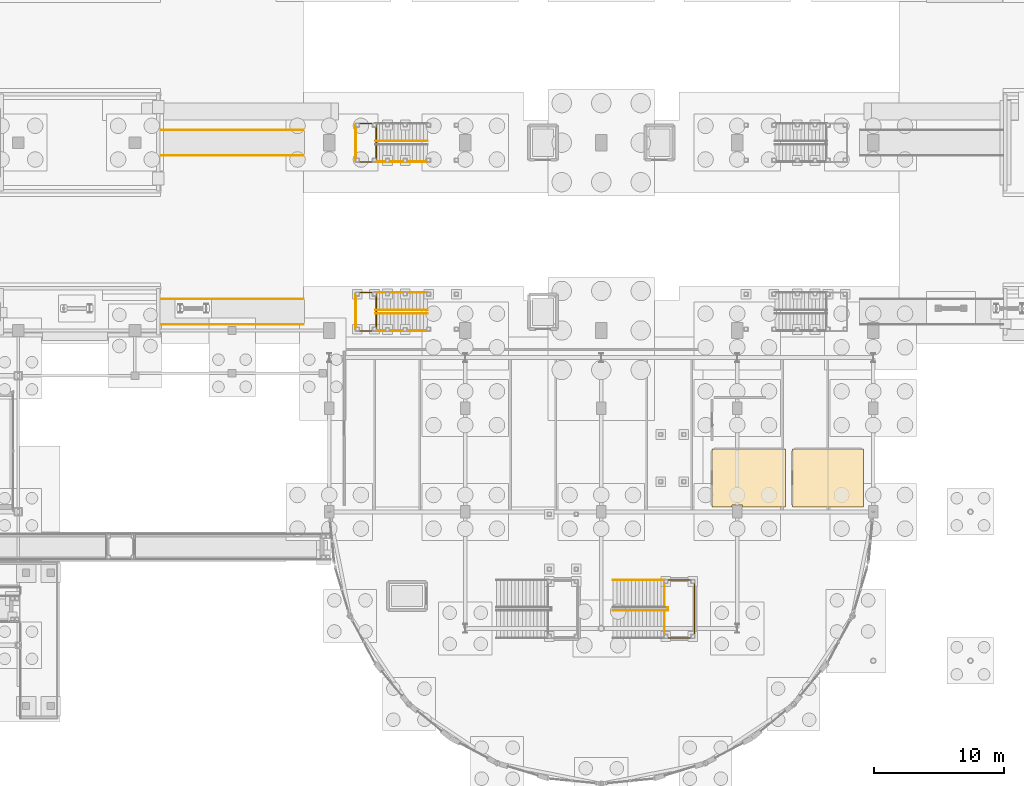
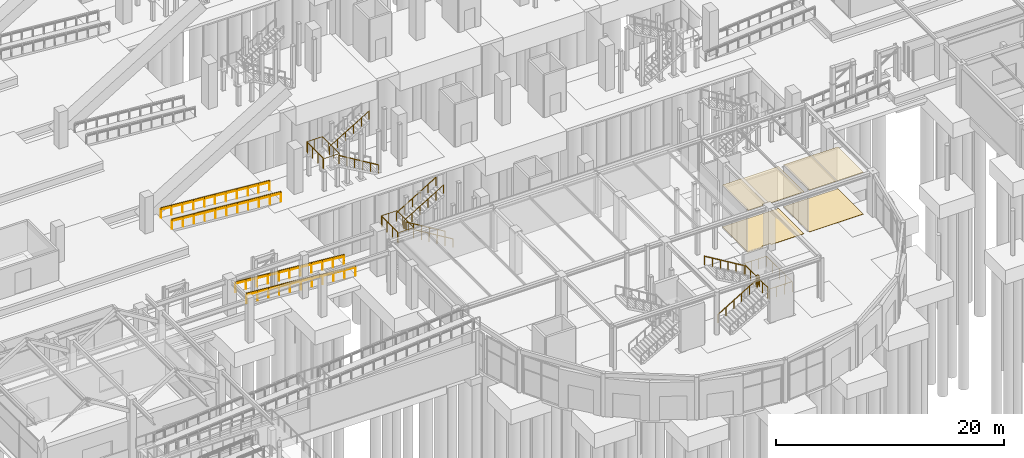
# One storey, part 152 of 160: 22 railings, 4 coverings.
"""IFC4 building model written with IfcOpenShell, lengths in metres."""

from ifc_helpers import new_model, si_unit, direction, frame, origin, origin_2d, place, context, subcontext, project, spatial, polyline, circle, outline, extrude, material, layer, layer_set, type_object, element, save


model = new_model("IFC4")

# Units and contexts
model_context = context("Model", 3, precision=1e-05, world=origin(), true_north=direction((0.0, 1.0)))
body_context = subcontext(model_context, "Body", "Model", "MODEL_VIEW")
ifc_project = project(units=[si_unit("LENGTHUNIT", "METRE"), si_unit("AREAUNIT", "SQUARE_METRE"), si_unit("VOLUMEUNIT", "CUBIC_METRE"), si_unit("PLANEANGLEUNIT", "RADIAN"), si_unit("MASSUNIT", "GRAM", prefix="KILO")], contexts=[model_context])

# Site, building, storey
site_placement = place(None, origin())
site = spatial("IfcSite", under=ifc_project, at=site_placement, CompositionType="ELEMENT")
building_placement = place(site_placement, origin())
building = spatial("IfcBuilding", under=site, at=building_placement, Name="Marlcrest Central Station", CompositionType="ELEMENT")
storey_placement = place(building_placement, origin())
storey = spatial("IfcBuildingStorey", under=building, at=storey_placement, Name="L00", CompositionType="ELEMENT", Elevation=0.0)

# Coverings
ifc_material_1 = material(Name="Perforated acoustic mineral-fibre ceiling")
ifc_layer_1 = layer(ifc_material_1, 0.02490234375, Name="CV-CLG")
ifc_layer_set_1 = layer_set([ifc_layer_1], Name="Perforated acoustic mineral-fibre ceiling")
covering_type_1 = type_object("IfcCoveringType", Name="CV-CLG", PredefinedType="CEILING", material=ifc_layer_set_1)
covering_1_placement = place(storey_placement, frame((0.0, 0.0, 4.47509765625)))
element("IfcCovering", 1, at=covering_1_placement, inside=storey, type_object=covering_type_1, Name="cov-clg-0032", PredefinedType="CEILING", context=body_context, shape_type="SweptSolid", body=[
    extrude(outline(polyline([(116.56005859375, 22.860107421875), (116.56005859375, 27.340087890625), (122.239990234375, 27.340087890625), (122.239990234375, 22.860107421875), (118.909912109375, 22.860107421875), (118.909912109375, 23.034912109375), (118.090087890625, 23.034912109375), (118.090087890625, 22.860107421875), (116.56005859375, 22.860107421875)])), origin(), (0.0, 0.0, 1.0), 0.02490234375),
])
covering_2_placement = place(storey_placement, frame((0.0, 0.0, 4.47509765625)))
element("IfcCovering", 2, at=covering_2_placement, inside=storey, type_object=covering_type_1, Name="cov-clg-0034", PredefinedType="CEILING", context=body_context, shape_type="SweptSolid", body=[
    extrude(outline(polyline([(128.239990234375, 22.860107421875), (128.239990234375, 27.340087890625), (122.760009765625, 27.340087890625), (122.760009765625, 22.860107421875), (128.239990234375, 22.860107421875)])), origin(), (0.0, 0.0, 1.0), 0.02490234375),
])
ifc_material_2 = material(Name="Polished terrazzo and tactile transit flooring")
ifc_layer_2 = layer(ifc_material_2, 0.030029296875, Name="CV-FLR")
ifc_layer_set_2 = layer_set([ifc_layer_2], Name="Polished terrazzo and tactile transit flooring")
covering_type_2 = type_object("IfcCoveringType", Name="CV-FLR", PredefinedType="FLOORING", material=ifc_layer_set_2)
covering_3_placement = place(storey_placement, origin())
element("IfcCovering", 3, at=covering_3_placement, inside=storey, type_object=covering_type_2, Name="cov-flr-0033", PredefinedType="FLOORING", context=body_context, shape_type="SweptSolid", body=[
    extrude(outline(polyline([(116.56005859375, 22.860107421875), (116.56005859375, 27.340087890625), (122.239990234375, 27.340087890625), (122.239990234375, 22.860107421875), (118.909912109375, 22.860107421875), (118.909912109375, 23.034912109375), (118.090087890625, 23.034912109375), (118.090087890625, 22.860107421875), (116.56005859375, 22.860107421875)])), origin(), (0.0, 0.0, 1.0), 0.030029296875),
])
covering_4_placement = place(storey_placement, origin())
element("IfcCovering", 4, at=covering_4_placement, inside=storey, type_object=covering_type_2, Name="cov-flr-0035", PredefinedType="FLOORING", context=body_context, shape_type="SweptSolid", body=[
    extrude(outline(polyline([(128.239990234375, 22.860107421875), (128.239990234375, 27.340087890625), (122.760009765625, 27.340087890625), (122.760009765625, 22.860107421875), (128.239990234375, 22.860107421875)])), origin(), (0.0, 0.0, 1.0), 0.030029296875),
])

# Railings
ifc_material_3 = material(Name="Stainless steel and laminated glass concourse balustrade", Category="steel")
railing_type_1 = type_object("IfcRailingType", Name="GR-02", PredefinedType="BALUSTRADE", material=ifc_material_3)
for number, where, name in (
    (5, (85.0, 36.9599609375, 0.0), "hr-L00-00008"),
    (6, (85.0, 38.93994140625, 0.0), "hr-L00-00010"),
):
    element("IfcRailing", number, at=place(storey_placement, frame(where)), inside=storey, type_object=railing_type_1, Name=name, PredefinedType="BALUSTRADE", context=body_context, shape_type="SweptSolid", body=[
        extrude(circle(Radius=0.02392578125, at=origin_2d()), frame((0.0, 0.0, 1.09619140625), z_axis=(-0.996557950635, 0.0, 0.082899041171), x_axis=(0.0, -1.0, 0.0)), (0.0, 0.0, 1.0), 11.0380859375),
        extrude(circle(Radius=0.02099609375, at=origin_2d()), origin(), (0.0, 0.0, 1.0), 1.072021484375),
        extrude(circle(Radius=0.02099609375, at=origin_2d()), frame((-1.10009765625, 0.0, 0.091552734375)), (0.0, 0.0, 1.0), 1.072021484375),
        extrude(circle(Radius=0.02099609375, at=origin_2d()), frame((-2.199951171875, 0.0, 0.18310546875)), (0.0, 0.0, 1.0), 1.072021484375),
        extrude(circle(Radius=0.02099609375, at=origin_2d()), frame((-3.300048828125, 0.0, 0.2744140625)), (0.0, 0.0, 1.0), 1.072021484375),
        extrude(circle(Radius=0.02099609375, at=origin_2d()), frame((-4.39990234375, 0.0, 0.365966796875)), (0.0, 0.0, 1.0), 1.072021484375),
        extrude(circle(Radius=0.02099609375, at=origin_2d()), frame((-5.5, 0.0, 0.45751953125)), (0.0, 0.0, 1.0), 1.072021484375),
        extrude(circle(Radius=0.02099609375, at=origin_2d()), frame((-6.60009765625, 0.0, 0.549072265625)), (0.0, 0.0, 1.0), 1.072021484375),
        extrude(circle(Radius=0.02099609375, at=origin_2d()), frame((-7.699951171875, 0.0, 0.640625)), (0.0, 0.0, 1.0), 1.072021484375),
        extrude(circle(Radius=0.02099609375, at=origin_2d()), frame((-8.800048828125, 0.0, 0.73193359375)), (0.0, 0.0, 1.0), 1.072021484375),
        extrude(circle(Radius=0.02099609375, at=origin_2d()), frame((-9.89990234375, 0.0, 0.823486328125)), (0.0, 0.0, 1.0), 1.072021484375),
        extrude(circle(Radius=0.02099609375, at=origin_2d()), frame((-11.0, 0.0, 0.9150390625)), (0.0, 0.0, 1.0), 1.072021484375),
    ])
railing_1_placement = place(storey_placement, frame((89.030029296875, 36.4599609375, 2.39990234375)))
element("IfcRailing", 7, at=railing_1_placement, inside=storey, type_object=railing_type_1, Name="hr-L00-00011", PredefinedType="BALUSTRADE", context=body_context, shape_type="SweptSolid", body=[
    extrude(circle(Radius=0.02392578125, at=origin_2d()), frame((0.0, 0.0, 1.09619140625), z_axis=(1.0, 0.0, 0.0), x_axis=(0.0, 1.0, 0.0)), (0.0, 0.0, 1.0), 1.599853515625),
    extrude(circle(Radius=0.02392578125, at=origin_2d()), frame((1.599853515625, 0.0, 1.09619140625), z_axis=(0.0, 1.0, 0.0), x_axis=(-1.0, 0.0, 0.0)), (0.0, 0.0, 1.0), 2.97998046875),
    extrude(circle(Radius=0.02392578125, at=origin_2d()), frame((1.599853515625, 2.97998046875, 1.09619140625), z_axis=(-1.0, 0.0, 0.0), x_axis=(0.0, -1.0, 0.0)), (0.0, 0.0, 1.0), 1.599853515625),
    extrude(circle(Radius=0.02099609375, at=origin_2d()), origin(), (0.0, 0.0, 1.0), 1.072021484375),
    extrude(circle(Radius=0.02099609375, at=origin_2d()), frame((0.7998046875, 0.0, 0.0)), (0.0, 0.0, 1.0), 1.072021484375),
    extrude(circle(Radius=0.02099609375, at=origin_2d()), frame((1.599853515625, 0.0, 0.0)), (0.0, 0.0, 1.0), 1.072021484375),
    extrude(circle(Radius=0.02099609375, at=origin_2d()), frame((1.599853515625, 0.993408203125, 0.0)), (0.0, 0.0, 1.0), 1.072021484375),
    extrude(circle(Radius=0.02099609375, at=origin_2d()), frame((1.599853515625, 1.986572265625, 0.0)), (0.0, 0.0, 1.0), 1.072021484375),
    extrude(circle(Radius=0.02099609375, at=origin_2d()), frame((1.599853515625, 2.97998046875, 0.0)), (0.0, 0.0, 1.0), 1.072021484375),
    extrude(circle(Radius=0.02099609375, at=origin_2d()), frame((0.7998046875, 2.97998046875, 0.0)), (0.0, 0.0, 1.0), 1.072021484375),
    extrude(circle(Radius=0.02099609375, at=origin_2d()), frame((0.0, 2.97998046875, 0.0)), (0.0, 0.0, 1.0), 1.072021484375),
])
for number, where, name in (
    (8, (85.0, 50.010009765625, 0.0), "hr-L00-00042"),
    (9, (85.0, 51.989990234375, 0.0), "hr-L00-00044"),
):
    element("IfcRailing", number, at=place(storey_placement, frame(where)), inside=storey, type_object=railing_type_1, Name=name, PredefinedType="BALUSTRADE", context=body_context, shape_type="SweptSolid", body=[
        extrude(circle(Radius=0.02392578125, at=origin_2d()), frame((0.0, 0.0, 1.09619140625), z_axis=(-0.996557950635, 0.0, 0.082899041171), x_axis=(0.0, -1.0, 0.0)), (0.0, 0.0, 1.0), 11.0380859375),
        extrude(circle(Radius=0.02099609375, at=origin_2d()), origin(), (0.0, 0.0, 1.0), 1.072021484375),
        extrude(circle(Radius=0.02099609375, at=origin_2d()), frame((-1.10009765625, 0.0, 0.091552734375)), (0.0, 0.0, 1.0), 1.072021484375),
        extrude(circle(Radius=0.02099609375, at=origin_2d()), frame((-2.199951171875, 0.0, 0.18310546875)), (0.0, 0.0, 1.0), 1.072021484375),
        extrude(circle(Radius=0.02099609375, at=origin_2d()), frame((-3.300048828125, 0.0, 0.2744140625)), (0.0, 0.0, 1.0), 1.072021484375),
        extrude(circle(Radius=0.02099609375, at=origin_2d()), frame((-4.39990234375, 0.0, 0.365966796875)), (0.0, 0.0, 1.0), 1.072021484375),
        extrude(circle(Radius=0.02099609375, at=origin_2d()), frame((-5.5, 0.0, 0.45751953125)), (0.0, 0.0, 1.0), 1.072021484375),
        extrude(circle(Radius=0.02099609375, at=origin_2d()), frame((-6.60009765625, 0.0, 0.549072265625)), (0.0, 0.0, 1.0), 1.072021484375),
        extrude(circle(Radius=0.02099609375, at=origin_2d()), frame((-7.699951171875, 0.0, 0.640625)), (0.0, 0.0, 1.0), 1.072021484375),
        extrude(circle(Radius=0.02099609375, at=origin_2d()), frame((-8.800048828125, 0.0, 0.73193359375)), (0.0, 0.0, 1.0), 1.072021484375),
        extrude(circle(Radius=0.02099609375, at=origin_2d()), frame((-9.89990234375, 0.0, 0.823486328125)), (0.0, 0.0, 1.0), 1.072021484375),
        extrude(circle(Radius=0.02099609375, at=origin_2d()), frame((-11.0, 0.0, 0.9150390625)), (0.0, 0.0, 1.0), 1.072021484375),
    ])
railing_2_placement = place(storey_placement, frame((89.030029296875, 49.510009765625, 2.39990234375)))
element("IfcRailing", 10, at=railing_2_placement, inside=storey, type_object=railing_type_1, Name="hr-L00-00045", PredefinedType="BALUSTRADE", context=body_context, shape_type="SweptSolid", body=[
    extrude(circle(Radius=0.02392578125, at=origin_2d()), frame((0.0, 0.0, 1.09619140625), z_axis=(1.0, 0.0, 0.0), x_axis=(0.0, 1.0, 0.0)), (0.0, 0.0, 1.0), 1.599853515625),
    extrude(circle(Radius=0.02392578125, at=origin_2d()), frame((1.599853515625, 0.0, 1.09619140625), z_axis=(0.0, 1.0, 0.0), x_axis=(-1.0, 0.0, 0.0)), (0.0, 0.0, 1.0), 2.97998046875),
    extrude(circle(Radius=0.02392578125, at=origin_2d()), frame((1.599853515625, 2.97998046875, 1.09619140625), z_axis=(-1.0, 0.0, 0.0), x_axis=(0.0, -1.0, 0.0)), (0.0, 0.0, 1.0), 1.599853515625),
    extrude(circle(Radius=0.02099609375, at=origin_2d()), origin(), (0.0, 0.0, 1.0), 1.072021484375),
    extrude(circle(Radius=0.02099609375, at=origin_2d()), frame((0.7998046875, 0.0, 0.0)), (0.0, 0.0, 1.0), 1.072021484375),
    extrude(circle(Radius=0.02099609375, at=origin_2d()), frame((1.599853515625, 0.0, 0.0)), (0.0, 0.0, 1.0), 1.072021484375),
    extrude(circle(Radius=0.02099609375, at=origin_2d()), frame((1.599853515625, 0.993408203125, 0.0)), (0.0, 0.0, 1.0), 1.072021484375),
    extrude(circle(Radius=0.02099609375, at=origin_2d()), frame((1.599853515625, 1.986572265625, 0.0)), (0.0, 0.0, 1.0), 1.072021484375),
    extrude(circle(Radius=0.02099609375, at=origin_2d()), frame((1.599853515625, 2.97998046875, 0.0)), (0.0, 0.0, 1.0), 1.072021484375),
    extrude(circle(Radius=0.02099609375, at=origin_2d()), frame((0.7998046875, 2.97998046875, 0.0)), (0.0, 0.0, 1.0), 1.072021484375),
    extrude(circle(Radius=0.02099609375, at=origin_2d()), frame((0.0, 2.97998046875, 0.0)), (0.0, 0.0, 1.0), 1.072021484375),
])
railing_3_placement = place(storey_placement, frame((112.8701171875, 12.760009765625, 2.39990234375)))
element("IfcRailing", 11, at=railing_3_placement, inside=storey, type_object=railing_type_1, Name="hr-L00-00180", PredefinedType="BALUSTRADE", context=body_context, shape_type="SweptSolid", body=[
    extrude(circle(Radius=0.02392578125, at=origin_2d()), frame((0.0, 0.0, 1.09619140625), z_axis=(1.0, 0.0, 0.0), x_axis=(0.0, 1.0, 0.0)), (0.0, 0.0, 1.0), 2.31982421875),
    extrude(circle(Radius=0.02392578125, at=origin_2d()), frame((2.31982421875, 0.0, 1.09619140625), z_axis=(0.0, 1.0, 0.0), x_axis=(-1.0, 0.0, 0.0)), (0.0, 0.0, 1.0), 4.47998046875),
    extrude(circle(Radius=0.02392578125, at=origin_2d()), frame((2.31982421875, 4.47998046875, 1.09619140625), z_axis=(-1.0, 0.0, 0.0), x_axis=(0.0, -1.0, 0.0)), (0.0, 0.0, 1.0), 2.31982421875),
    extrude(circle(Radius=0.02099609375, at=origin_2d()), origin(), (0.0, 0.0, 1.0), 1.072021484375),
    extrude(circle(Radius=0.02099609375, at=origin_2d()), frame((0.773193359375, 0.0, 0.0)), (0.0, 0.0, 1.0), 1.072021484375),
    extrude(circle(Radius=0.02099609375, at=origin_2d()), frame((1.546630859375, 0.0, 0.0)), (0.0, 0.0, 1.0), 1.072021484375),
    extrude(circle(Radius=0.02099609375, at=origin_2d()), frame((2.31982421875, 0.0, 0.0)), (0.0, 0.0, 1.0), 1.072021484375),
    extrude(circle(Radius=0.02099609375, at=origin_2d()), frame((2.31982421875, 1.1201171875, 0.0)), (0.0, 0.0, 1.0), 1.072021484375),
    extrude(circle(Radius=0.02099609375, at=origin_2d()), frame((2.31982421875, 2.239990234375, 0.0)), (0.0, 0.0, 1.0), 1.072021484375),
    extrude(circle(Radius=0.02099609375, at=origin_2d()), frame((2.31982421875, 3.35986328125, 0.0)), (0.0, 0.0, 1.0), 1.072021484375),
    extrude(circle(Radius=0.02099609375, at=origin_2d()), frame((2.31982421875, 4.47998046875, 0.0)), (0.0, 0.0, 1.0), 1.072021484375),
    extrude(circle(Radius=0.02099609375, at=origin_2d()), frame((1.546630859375, 4.47998046875, 0.0)), (0.0, 0.0, 1.0), 1.072021484375),
    extrude(circle(Radius=0.02099609375, at=origin_2d()), frame((0.773193359375, 4.47998046875, 0.0)), (0.0, 0.0, 1.0), 1.072021484375),
    extrude(circle(Radius=0.02099609375, at=origin_2d()), frame((0.0, 4.47998046875, 0.0)), (0.0, 0.0, 1.0), 1.072021484375),
])
railing_4_placement = place(storey_placement, frame((89.050048828125, 36.60009765625, 2.39990234375)))
element("IfcRailing", 12, at=railing_4_placement, inside=storey, type_object=railing_type_1, Name="hr-L00-00569", PredefinedType="BALUSTRADE", context=body_context, shape_type="SweptSolid", body=[
    extrude(circle(Radius=0.02392578125, at=origin_2d()), frame((0.0, 0.0, 1.09619140625), z_axis=(0.0, 1.0, 0.0), x_axis=(-1.0, 0.0, 0.0)), (0.0, 0.0, 1.0), 2.699951171875),
    extrude(circle(Radius=0.02099609375, at=origin_2d()), origin(), (0.0, 0.0, 1.0), 1.072021484375),
    extrude(circle(Radius=0.02099609375, at=origin_2d()), frame((0.0, 0.89990234375, 0.0)), (0.0, 0.0, 1.0), 1.072021484375),
    extrude(circle(Radius=0.02099609375, at=origin_2d()), frame((0.0, 1.800048828125, 0.0)), (0.0, 0.0, 1.0), 1.072021484375),
    extrude(circle(Radius=0.02099609375, at=origin_2d()), frame((0.0, 2.699951171875, 0.0)), (0.0, 0.0, 1.0), 1.072021484375),
])
railing_5_placement = place(storey_placement, frame((89.050048828125, 49.64990234375, 2.39990234375)))
element("IfcRailing", 13, at=railing_5_placement, inside=storey, type_object=railing_type_1, Name="hr-L00-00573", PredefinedType="BALUSTRADE", context=body_context, shape_type="SweptSolid", body=[
    extrude(circle(Radius=0.02392578125, at=origin_2d()), frame((0.0, 0.0, 1.09619140625), z_axis=(0.0, 1.0, 0.0), x_axis=(-1.0, 0.0, 0.0)), (0.0, 0.0, 1.0), 2.7001953125),
    extrude(circle(Radius=0.02099609375, at=origin_2d()), origin(), (0.0, 0.0, 1.0), 1.072021484375),
    extrude(circle(Radius=0.02099609375, at=origin_2d()), frame((0.0, 0.900146484375, 0.0)), (0.0, 0.0, 1.0), 1.072021484375),
    extrude(circle(Radius=0.02099609375, at=origin_2d()), frame((0.0, 1.800048828125, 0.0)), (0.0, 0.0, 1.0), 1.072021484375),
    extrude(circle(Radius=0.02099609375, at=origin_2d()), frame((0.0, 2.7001953125, 0.0)), (0.0, 0.0, 1.0), 1.072021484375),
])
railing_6_placement = place(storey_placement, frame((112.889892578125, 13.010009765625, 2.39990234375)))
element("IfcRailing", 14, at=railing_6_placement, inside=storey, type_object=railing_type_1, Name="hr-L00-00590", PredefinedType="BALUSTRADE", context=body_context, shape_type="SweptSolid", body=[
    extrude(circle(Radius=0.02392578125, at=origin_2d()), frame((0.0, 0.0, 1.09619140625), z_axis=(0.0, 1.0, 0.0), x_axis=(-1.0, 0.0, 0.0)), (0.0, 0.0, 1.0), 1.869873046875),
    extrude(circle(Radius=0.02392578125, at=origin_2d()), frame((0.0, 1.869873046875, 1.09619140625), z_axis=(1.0, 0.0, 0.0), x_axis=(0.0, 1.0, 0.0)), (0.0, 0.0, 1.0), 0.25),
    extrude(circle(Radius=0.02392578125, at=origin_2d()), frame((0.25, 1.869873046875, 1.09619140625), z_axis=(0.0, 1.0, 0.0), x_axis=(-1.0, 0.0, 0.0)), (0.0, 0.0, 1.0), 0.240234375),
    extrude(circle(Radius=0.02392578125, at=origin_2d()), frame((0.25, 2.110107421875, 1.09619140625), z_axis=(-1.0, 0.0, 0.0), x_axis=(0.0, -1.0, 0.0)), (0.0, 0.0, 1.0), 0.25),
    extrude(circle(Radius=0.02392578125, at=origin_2d()), frame((0.0, 2.110107421875, 1.09619140625), z_axis=(0.0, 1.0, 0.0), x_axis=(-1.0, 0.0, 0.0)), (0.0, 0.0, 1.0), 1.869873046875),
    extrude(circle(Radius=0.02099609375, at=origin_2d()), origin(), (0.0, 0.0, 1.0), 1.072021484375),
    extrude(circle(Radius=0.02099609375, at=origin_2d()), frame((0.0, 0.93505859375, 0.0)), (0.0, 0.0, 1.0), 1.072021484375),
    extrude(circle(Radius=0.02099609375, at=origin_2d()), frame((0.0, 1.869873046875, 0.0)), (0.0, 0.0, 1.0), 1.072021484375),
    extrude(circle(Radius=0.02099609375, at=origin_2d()), frame((0.25, 1.869873046875, 0.0)), (0.0, 0.0, 1.0), 1.072021484375),
    extrude(circle(Radius=0.02099609375, at=origin_2d()), frame((0.25, 2.110107421875, 0.0)), (0.0, 0.0, 1.0), 1.072021484375),
    extrude(circle(Radius=0.02099609375, at=origin_2d()), frame((0.0, 2.110107421875, 0.0)), (0.0, 0.0, 1.0), 1.072021484375),
    extrude(circle(Radius=0.02099609375, at=origin_2d()), frame((0.0, 3.044921875, 0.0)), (0.0, 0.0, 1.0), 1.072021484375),
    extrude(circle(Radius=0.02099609375, at=origin_2d()), frame((0.0, 3.97998046875, 0.0)), (0.0, 0.0, 1.0), 1.072021484375),
])
ifc_material_4 = material(Name="Brushed stainless steel handrail", Category="steel")
railing_type_2 = type_object("IfcRailingType", Name="HR-01", PredefinedType="HANDRAIL", material=ifc_material_4)
railing_7_placement = place(storey_placement, frame((94.580078125, 36.47509765625, 0.0)))
element("IfcRailing", 15, at=railing_7_placement, inside=storey, type_object=railing_type_2, Name="hr-L00-00003", PredefinedType="HANDRAIL", context=body_context, shape_type="SweptSolid", body=[
    extrude(circle(Radius=0.02392578125, at=origin_2d()), frame((0.0, 0.0, 0.89599609375), z_axis=(-0.856932605607, 0.0, 0.515428471708), x_axis=(0.0, -1.0, 0.0)), (0.0, 0.0, 1.0), 4.65625),
    extrude(circle(Radius=0.02099609375, at=origin_2d()), origin(), (0.0, 0.0, 1.0), 0.871826171875),
    extrude(circle(Radius=0.02099609375, at=origin_2d()), frame((-0.798095703125, 0.0, 0.47998046875)), (0.0, 0.0, 1.0), 0.871826171875),
    extrude(circle(Radius=0.02099609375, at=origin_2d()), frame((-1.595947265625, 0.0, 0.9599609375)), (0.0, 0.0, 1.0), 0.871826171875),
    extrude(circle(Radius=0.02099609375, at=origin_2d()), frame((-2.39404296875, 0.0, 1.43994140625)), (0.0, 0.0, 1.0), 0.871826171875),
    extrude(circle(Radius=0.02099609375, at=origin_2d()), frame((-3.19189453125, 0.0, 1.919921875)), (0.0, 0.0, 1.0), 0.871826171875),
    extrude(circle(Radius=0.02099609375, at=origin_2d()), frame((-3.989990234375, 0.0, 2.39990234375)), (0.0, 0.0, 1.0), 0.871826171875),
])
railing_8_placement = place(storey_placement, frame((90.590087890625, 38.0849609375, 2.39990234375)))
element("IfcRailing", 16, at=railing_8_placement, inside=storey, type_object=railing_type_2, Name="hr-L00-00004", PredefinedType="HANDRAIL", context=body_context, shape_type="SweptSolid", body=[
    extrude(circle(Radius=0.02392578125, at=origin_2d()), frame((0.0, 0.0, 0.89599609375), z_axis=(0.856909445827, 0.0, 0.515466974357), x_axis=(0.0, 1.0, 0.0)), (0.0, 0.0, 1.0), 4.65625),
    extrude(circle(Radius=0.02099609375, at=origin_2d()), origin(), (0.0, 0.0, 1.0), 0.871826171875),
    extrude(circle(Radius=0.02099609375, at=origin_2d()), frame((0.798095703125, 0.0, 0.47998046875)), (0.0, 0.0, 1.0), 0.871826171875),
    extrude(circle(Radius=0.02099609375, at=origin_2d()), frame((1.595947265625, 0.0, 0.9599609375)), (0.0, 0.0, 1.0), 0.871826171875),
    extrude(circle(Radius=0.02099609375, at=origin_2d()), frame((2.39404296875, 0.0, 1.440185546875)), (0.0, 0.0, 1.0), 0.871826171875),
    extrude(circle(Radius=0.02099609375, at=origin_2d()), frame((3.19189453125, 0.0, 1.920166015625)), (0.0, 0.0, 1.0), 0.871826171875),
    extrude(circle(Radius=0.02099609375, at=origin_2d()), frame((3.989990234375, 0.0, 2.400146484375)), (0.0, 0.0, 1.0), 0.871826171875),
])
railing_9_placement = place(storey_placement, frame((94.580078125, 37.81494140625, 0.0)))
element("IfcRailing", 17, at=railing_9_placement, inside=storey, type_object=railing_type_2, Name="hr-L00-00005", PredefinedType="HANDRAIL", context=body_context, shape_type="SweptSolid", body=[
    extrude(circle(Radius=0.02392578125, at=origin_2d()), frame((0.0, 0.0, 0.89599609375), z_axis=(-0.856932605607, 0.0, 0.515428471708), x_axis=(0.0, -1.0, 0.0)), (0.0, 0.0, 1.0), 4.65625),
    extrude(circle(Radius=0.02099609375, at=origin_2d()), origin(), (0.0, 0.0, 1.0), 0.871826171875),
    extrude(circle(Radius=0.02099609375, at=origin_2d()), frame((-0.798095703125, 0.0, 0.47998046875)), (0.0, 0.0, 1.0), 0.871826171875),
    extrude(circle(Radius=0.02099609375, at=origin_2d()), frame((-1.595947265625, 0.0, 0.9599609375)), (0.0, 0.0, 1.0), 0.871826171875),
    extrude(circle(Radius=0.02099609375, at=origin_2d()), frame((-2.39404296875, 0.0, 1.43994140625)), (0.0, 0.0, 1.0), 0.871826171875),
    extrude(circle(Radius=0.02099609375, at=origin_2d()), frame((-3.19189453125, 0.0, 1.919921875)), (0.0, 0.0, 1.0), 0.871826171875),
    extrude(circle(Radius=0.02099609375, at=origin_2d()), frame((-3.989990234375, 0.0, 2.39990234375)), (0.0, 0.0, 1.0), 0.871826171875),
])
railing_10_placement = place(storey_placement, frame((90.590087890625, 39.425048828125, 2.39990234375)))
element("IfcRailing", 18, at=railing_10_placement, inside=storey, type_object=railing_type_2, Name="hr-L00-00006", PredefinedType="HANDRAIL", context=body_context, shape_type="SweptSolid", body=[
    extrude(circle(Radius=0.02392578125, at=origin_2d()), frame((0.0, 0.0, 0.89599609375), z_axis=(0.856909445827, 0.0, 0.515466974357), x_axis=(0.0, 1.0, 0.0)), (0.0, 0.0, 1.0), 4.65625),
    extrude(circle(Radius=0.02099609375, at=origin_2d()), origin(), (0.0, 0.0, 1.0), 0.871826171875),
    extrude(circle(Radius=0.02099609375, at=origin_2d()), frame((0.798095703125, 0.0, 0.47998046875)), (0.0, 0.0, 1.0), 0.871826171875),
    extrude(circle(Radius=0.02099609375, at=origin_2d()), frame((1.595947265625, 0.0, 0.9599609375)), (0.0, 0.0, 1.0), 0.871826171875),
    extrude(circle(Radius=0.02099609375, at=origin_2d()), frame((2.39404296875, 0.0, 1.440185546875)), (0.0, 0.0, 1.0), 0.871826171875),
    extrude(circle(Radius=0.02099609375, at=origin_2d()), frame((3.19189453125, 0.0, 1.920166015625)), (0.0, 0.0, 1.0), 0.871826171875),
    extrude(circle(Radius=0.02099609375, at=origin_2d()), frame((3.989990234375, 0.0, 2.400146484375)), (0.0, 0.0, 1.0), 0.871826171875),
])
for number, where, name in (
    (19, (85.0, 36.9599609375, 0.0), "hr-L00-00007"),
    (20, (85.0, 38.93994140625, 0.0), "hr-L00-00009"),
):
    element("IfcRailing", number, at=place(storey_placement, frame(where)), inside=storey, type_object=railing_type_2, Name=name, PredefinedType="HANDRAIL", context=body_context, shape_type="SweptSolid", body=[
        extrude(circle(Radius=0.02392578125, at=origin_2d()), frame((0.0, 0.0, 0.89599609375), z_axis=(-0.996557950635, 0.0, 0.082899041171), x_axis=(0.0, -1.0, 0.0)), (0.0, 0.0, 1.0), 11.0380859375),
        extrude(circle(Radius=0.02099609375, at=origin_2d()), origin(), (0.0, 0.0, 1.0), 0.871826171875),
        extrude(circle(Radius=0.02099609375, at=origin_2d()), frame((-1.10009765625, 0.0, 0.091552734375)), (0.0, 0.0, 1.0), 0.871826171875),
        extrude(circle(Radius=0.02099609375, at=origin_2d()), frame((-2.199951171875, 0.0, 0.18310546875)), (0.0, 0.0, 1.0), 0.871826171875),
        extrude(circle(Radius=0.02099609375, at=origin_2d()), frame((-3.300048828125, 0.0, 0.2744140625)), (0.0, 0.0, 1.0), 0.871826171875),
        extrude(circle(Radius=0.02099609375, at=origin_2d()), frame((-4.39990234375, 0.0, 0.365966796875)), (0.0, 0.0, 1.0), 0.871826171875),
        extrude(circle(Radius=0.02099609375, at=origin_2d()), frame((-5.5, 0.0, 0.45751953125)), (0.0, 0.0, 1.0), 0.871826171875),
        extrude(circle(Radius=0.02099609375, at=origin_2d()), frame((-6.60009765625, 0.0, 0.549072265625)), (0.0, 0.0, 1.0), 0.871826171875),
        extrude(circle(Radius=0.02099609375, at=origin_2d()), frame((-7.699951171875, 0.0, 0.640625)), (0.0, 0.0, 1.0), 0.871826171875),
        extrude(circle(Radius=0.02099609375, at=origin_2d()), frame((-8.800048828125, 0.0, 0.73193359375)), (0.0, 0.0, 1.0), 0.871826171875),
        extrude(circle(Radius=0.02099609375, at=origin_2d()), frame((-9.89990234375, 0.0, 0.823486328125)), (0.0, 0.0, 1.0), 0.871826171875),
        extrude(circle(Radius=0.02099609375, at=origin_2d()), frame((-11.0, 0.0, 0.9150390625)), (0.0, 0.0, 1.0), 0.871826171875),
    ])
railing_11_placement = place(storey_placement, frame((94.580078125, 49.52490234375, 0.0)))
element("IfcRailing", 21, at=railing_11_placement, inside=storey, type_object=railing_type_2, Name="hr-L00-00037", PredefinedType="HANDRAIL", context=body_context, shape_type="SweptSolid", body=[
    extrude(circle(Radius=0.02392578125, at=origin_2d()), frame((0.0, 0.0, 0.89599609375), z_axis=(-0.856932605607, 0.0, 0.515428471708), x_axis=(0.0, -1.0, 0.0)), (0.0, 0.0, 1.0), 4.65625),
    extrude(circle(Radius=0.02099609375, at=origin_2d()), origin(), (0.0, 0.0, 1.0), 0.871826171875),
    extrude(circle(Radius=0.02099609375, at=origin_2d()), frame((-0.798095703125, 0.0, 0.47998046875)), (0.0, 0.0, 1.0), 0.871826171875),
    extrude(circle(Radius=0.02099609375, at=origin_2d()), frame((-1.595947265625, 0.0, 0.9599609375)), (0.0, 0.0, 1.0), 0.871826171875),
    extrude(circle(Radius=0.02099609375, at=origin_2d()), frame((-2.39404296875, 0.0, 1.43994140625)), (0.0, 0.0, 1.0), 0.871826171875),
    extrude(circle(Radius=0.02099609375, at=origin_2d()), frame((-3.19189453125, 0.0, 1.919921875)), (0.0, 0.0, 1.0), 0.871826171875),
    extrude(circle(Radius=0.02099609375, at=origin_2d()), frame((-3.989990234375, 0.0, 2.39990234375)), (0.0, 0.0, 1.0), 0.871826171875),
])
railing_12_placement = place(storey_placement, frame((90.590087890625, 51.135009765625, 2.39990234375)))
element("IfcRailing", 22, at=railing_12_placement, inside=storey, type_object=railing_type_2, Name="hr-L00-00038", PredefinedType="HANDRAIL", context=body_context, shape_type="SweptSolid", body=[
    extrude(circle(Radius=0.02392578125, at=origin_2d()), frame((0.0, 0.0, 0.89599609375), z_axis=(0.856909445827, 0.0, 0.515466974357), x_axis=(0.0, 1.0, 0.0)), (0.0, 0.0, 1.0), 4.65625),
    extrude(circle(Radius=0.02099609375, at=origin_2d()), origin(), (0.0, 0.0, 1.0), 0.871826171875),
    extrude(circle(Radius=0.02099609375, at=origin_2d()), frame((0.798095703125, 0.0, 0.47998046875)), (0.0, 0.0, 1.0), 0.871826171875),
    extrude(circle(Radius=0.02099609375, at=origin_2d()), frame((1.595947265625, 0.0, 0.9599609375)), (0.0, 0.0, 1.0), 0.871826171875),
    extrude(circle(Radius=0.02099609375, at=origin_2d()), frame((2.39404296875, 0.0, 1.440185546875)), (0.0, 0.0, 1.0), 0.871826171875),
    extrude(circle(Radius=0.02099609375, at=origin_2d()), frame((3.19189453125, 0.0, 1.920166015625)), (0.0, 0.0, 1.0), 0.871826171875),
    extrude(circle(Radius=0.02099609375, at=origin_2d()), frame((3.989990234375, 0.0, 2.400146484375)), (0.0, 0.0, 1.0), 0.871826171875),
])
for number, where, name in (
    (23, (85.0, 50.010009765625, 0.0), "hr-L00-00041"),
    (24, (85.0, 51.989990234375, 0.0), "hr-L00-00043"),
):
    element("IfcRailing", number, at=place(storey_placement, frame(where)), inside=storey, type_object=railing_type_2, Name=name, PredefinedType="HANDRAIL", context=body_context, shape_type="SweptSolid", body=[
        extrude(circle(Radius=0.02392578125, at=origin_2d()), frame((0.0, 0.0, 0.89599609375), z_axis=(-0.996557950635, 0.0, 0.082899041171), x_axis=(0.0, -1.0, 0.0)), (0.0, 0.0, 1.0), 11.0380859375),
        extrude(circle(Radius=0.02099609375, at=origin_2d()), origin(), (0.0, 0.0, 1.0), 0.871826171875),
        extrude(circle(Radius=0.02099609375, at=origin_2d()), frame((-1.10009765625, 0.0, 0.091552734375)), (0.0, 0.0, 1.0), 0.871826171875),
        extrude(circle(Radius=0.02099609375, at=origin_2d()), frame((-2.199951171875, 0.0, 0.18310546875)), (0.0, 0.0, 1.0), 0.871826171875),
        extrude(circle(Radius=0.02099609375, at=origin_2d()), frame((-3.300048828125, 0.0, 0.2744140625)), (0.0, 0.0, 1.0), 0.871826171875),
        extrude(circle(Radius=0.02099609375, at=origin_2d()), frame((-4.39990234375, 0.0, 0.365966796875)), (0.0, 0.0, 1.0), 0.871826171875),
        extrude(circle(Radius=0.02099609375, at=origin_2d()), frame((-5.5, 0.0, 0.45751953125)), (0.0, 0.0, 1.0), 0.871826171875),
        extrude(circle(Radius=0.02099609375, at=origin_2d()), frame((-6.60009765625, 0.0, 0.549072265625)), (0.0, 0.0, 1.0), 0.871826171875),
        extrude(circle(Radius=0.02099609375, at=origin_2d()), frame((-7.699951171875, 0.0, 0.640625)), (0.0, 0.0, 1.0), 0.871826171875),
        extrude(circle(Radius=0.02099609375, at=origin_2d()), frame((-8.800048828125, 0.0, 0.73193359375)), (0.0, 0.0, 1.0), 0.871826171875),
        extrude(circle(Radius=0.02099609375, at=origin_2d()), frame((-9.89990234375, 0.0, 0.823486328125)), (0.0, 0.0, 1.0), 0.871826171875),
        extrude(circle(Radius=0.02099609375, at=origin_2d()), frame((-11.0, 0.0, 0.9150390625)), (0.0, 0.0, 1.0), 0.871826171875),
    ])
railing_13_placement = place(storey_placement, frame((108.919921875, 14.8701171875, 0.0)))
element("IfcRailing", 25, at=railing_13_placement, inside=storey, type_object=railing_type_2, Name="hr-L00-00178", PredefinedType="HANDRAIL", context=body_context, shape_type="SweptSolid", body=[
    extrude(circle(Radius=0.02392578125, at=origin_2d()), frame((0.0, 0.0, 0.89599609375), z_axis=(0.856932605607, 0.0, 0.515428471708), x_axis=(0.0, 1.0, 0.0)), (0.0, 0.0, 1.0), 4.65625),
    extrude(circle(Radius=0.02099609375, at=origin_2d()), origin(), (0.0, 0.0, 1.0), 0.871826171875),
    extrude(circle(Radius=0.02099609375, at=origin_2d()), frame((0.798095703125, 0.0, 0.47998046875)), (0.0, 0.0, 1.0), 0.871826171875),
    extrude(circle(Radius=0.02099609375, at=origin_2d()), frame((1.595947265625, 0.0, 0.9599609375)), (0.0, 0.0, 1.0), 0.871826171875),
    extrude(circle(Radius=0.02099609375, at=origin_2d()), frame((2.39404296875, 0.0, 1.43994140625)), (0.0, 0.0, 1.0), 0.871826171875),
    extrude(circle(Radius=0.02099609375, at=origin_2d()), frame((3.19189453125, 0.0, 1.919921875)), (0.0, 0.0, 1.0), 0.871826171875),
    extrude(circle(Radius=0.02099609375, at=origin_2d()), frame((3.989990234375, 0.0, 2.39990234375)), (0.0, 0.0, 1.0), 0.871826171875),
])
railing_14_placement = place(storey_placement, frame((112.909912109375, 17.22998046875, 2.39990234375)))
element("IfcRailing", 26, at=railing_14_placement, inside=storey, type_object=railing_type_2, Name="hr-L00-00179", PredefinedType="HANDRAIL", context=body_context, shape_type="SweptSolid", body=[
    extrude(circle(Radius=0.02392578125, at=origin_2d()), frame((0.0, 0.0, 0.89599609375), z_axis=(-0.856909445827, 0.0, 0.515466974357), x_axis=(0.0, -1.0, 0.0)), (0.0, 0.0, 1.0), 4.65625),
    extrude(circle(Radius=0.02099609375, at=origin_2d()), origin(), (0.0, 0.0, 1.0), 0.871826171875),
    extrude(circle(Radius=0.02099609375, at=origin_2d()), frame((-0.798095703125, 0.0, 0.47998046875)), (0.0, 0.0, 1.0), 0.871826171875),
    extrude(circle(Radius=0.02099609375, at=origin_2d()), frame((-1.595947265625, 0.0, 0.9599609375)), (0.0, 0.0, 1.0), 0.871826171875),
    extrude(circle(Radius=0.02099609375, at=origin_2d()), frame((-2.39404296875, 0.0, 1.440185546875)), (0.0, 0.0, 1.0), 0.871826171875),
    extrude(circle(Radius=0.02099609375, at=origin_2d()), frame((-3.19189453125, 0.0, 1.920166015625)), (0.0, 0.0, 1.0), 0.871826171875),
    extrude(circle(Radius=0.02099609375, at=origin_2d()), frame((-3.989990234375, 0.0, 2.400146484375)), (0.0, 0.0, 1.0), 0.871826171875),
])

save(model, "model.ifc")
